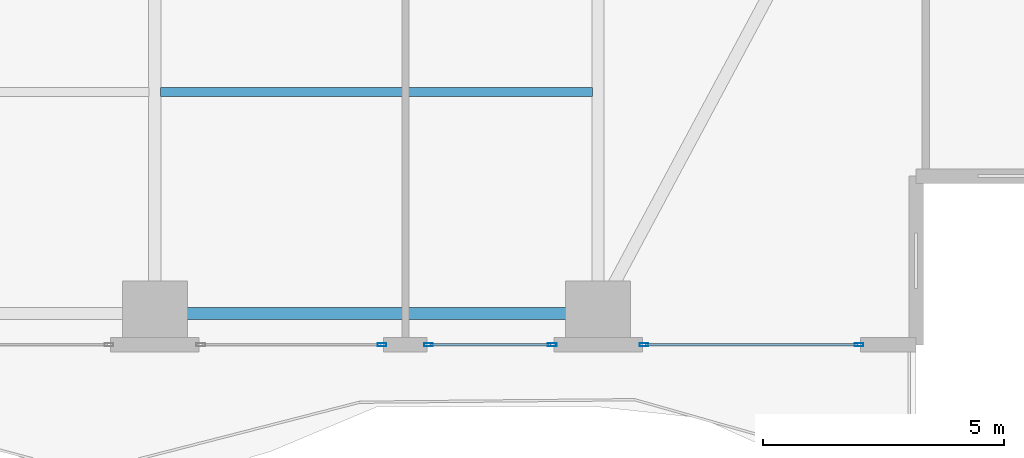
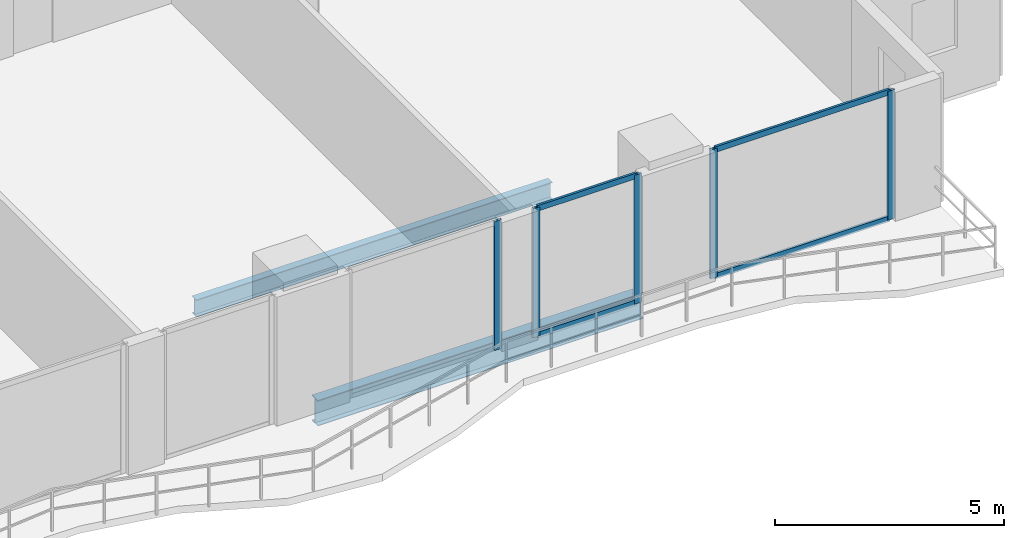
# One storey, part 9 of 28: 9 members, 2 beams, 3 elements without a shape of their own.
"""IFC4 building model written with IfcOpenShell, lengths in metres."""

from ifc_helpers import new_model, si_unit, direction, frame, origin, origin_2d, place, context, subcontext, project, spatial, hollow_rectangle, i_section, extrude, material, layer, layer_set, material_profile, profile_set, type_object, element, aggregate, save


model = new_model("IFC4")

# Units and contexts
model_context = context("Model", 3, precision=1e-05, world=origin(), true_north=direction((0.0, 1.0)))
body_context = subcontext(model_context, "Body", "Model", "MODEL_VIEW")
ifc_project = project(units=[si_unit("LENGTHUNIT", "METRE"), si_unit("AREAUNIT", "SQUARE_METRE"), si_unit("VOLUMEUNIT", "CUBIC_METRE"), si_unit("PLANEANGLEUNIT", "RADIAN"), si_unit("MASSUNIT", "GRAM", prefix="KILO")], contexts=[model_context])

# Site, building, storey
site_placement = place(None, origin())
site = spatial("IfcSite", under=ifc_project, at=site_placement, CompositionType="ELEMENT")
building_placement = place(site_placement, origin())
building = spatial("IfcBuilding", under=site, at=building_placement, Name="Zuhayl Quay Hotel", CompositionType="ELEMENT")
storey_placement = place(building_placement, frame((0.0, 0.0, 121.199951171875)))
storey = spatial("IfcBuildingStorey", under=building, at=storey_placement, Name="L30", CompositionType="ELEMENT", Elevation=121.199951171875)

# Beams
ifc_material_1 = material(Name="Steel ASTM A992 Grade 50", Category="steel")
ifc_material_profile_1 = material_profile(ifc_material_1, i_section(OverallWidth=0.25390625, OverallDepth=0.68310546875, WebThickness=0.012451171875, FlangeThickness=0.018798828125, at=origin_2d()), Name="W27X94")
ifc_profile_set_1 = profile_set([ifc_material_profile_1], Name="Steel ASTM A992 Grade 50")
beam_type_1 = type_object("IfcBeamType", Name="BM_B2_W27X94", PredefinedType="BEAM", material=ifc_profile_set_1)
beam_1_placement = place(storey_placement, frame((5.10009765625, -14.75, -0.5615234375), z_axis=(1.0, 0.0, 0.0), x_axis=(0.0, 1.0, 0.0)))
element("IfcBeam", 1, at=beam_1_placement, inside=storey, type_object=beam_type_1, Name="L30 Floor Beam RG_L30_03", PredefinedType="BEAM", context=body_context, shape_type="SweptSolid", body=[
    extrude(i_section(OverallWidth=0.25390625, OverallDepth=0.68310546875, WebThickness=0.012451171875, FlangeThickness=0.018798828125, at=origin_2d()), origin(), (0.0, 0.0, 1.0), 8.199951171875),
])
ifc_material_profile_2 = material_profile(ifc_material_1, i_section(OverallWidth=0.18994140625, OverallDepth=0.45703125, WebThickness=0.009033203125, FlangeThickness=0.014404296875, at=origin_2d()), Name="W18X50")
ifc_profile_set_2 = profile_set([ifc_material_profile_2], Name="Steel ASTM A992 Grade 50")
beam_type_2 = type_object("IfcBeamType", Name="BM_J2_W18X50", PredefinedType="JOIST", material=ifc_profile_set_2)
beam_2_placement = place(storey_placement, frame((4.718994140625, -10.14990234375, -0.448486328125), z_axis=(1.0, 0.0, 0.0), x_axis=(0.0, 1.0, 0.0)))
element("IfcBeam", 2, at=beam_2_placement, inside=storey, type_object=beam_type_2, Name="L30 Floor Beam FJ_L30_5_3", PredefinedType="JOIST", context=body_context, shape_type="SweptSolid", body=[
    extrude(i_section(OverallWidth=0.18994140625, OverallDepth=0.45703125, WebThickness=0.009033203125, FlangeThickness=0.014404296875, at=origin_2d()), origin(), (0.0, 0.0, 1.0), 8.9619140625),
])

# Curtain wall, members
ifc_material_2 = material(Name="Anodised Aluminium 6063-T6", Category="aluminium")
ifc_layer = layer(ifc_material_2, 0.179931640625, Name="Anodised Aluminium 6063-T6", Category="aluminium")
ifc_layer_set = layer_set([ifc_layer], Name="Anodised Aluminium 6063-T6")
curtain_wall_type = type_object("IfcCurtainWallType", Name="CW_SYS_Z2", PredefinedType="USERDEFINED", material=ifc_layer_set)
curtain_wall_1_placement = place(storey_placement, origin())
curtain_wall_1 = element("IfcCurtainWall", 3, at=curtain_wall_1_placement, inside=storey, type_object=curtain_wall_type, Name="L30 Curtain Wall ENV_L30_S_CW1", ObjectType="UNITISED CURTAIN WALL", PredefinedType="USERDEFINED")
ifc_material_3 = material(Name="Black-anodised aluminium 6063-T6", Category="aluminium")
ifc_material_profile_3 = material_profile(ifc_material_3, hollow_rectangle(XDim=0.06494140625, YDim=0.179931640625, WallThickness=0.00341796875, at=origin_2d()), Name="ALU180X65")
ifc_profile_set_3 = profile_set([ifc_material_profile_3], Name="Black-anodised aluminium 6063-T6")
member_type_1 = type_object("IfcMemberType", Name="MB_CW_MUL_180", PredefinedType="MULLION", material=ifc_profile_set_3)
member_1_placement = place(storey_placement, frame((19.217529296875, -15.39990234375, 0.0), z_axis=(0.0, 0.0, 1.0), x_axis=(0.0, -1.0, 0.0)))
member_1 = element("IfcMember", 4, at=member_1_placement, type_object=member_type_1, Name="CW-Z2 mullion 1", PredefinedType="MULLION", context=body_context, shape_type="SweptSolid", body=[
    extrude(hollow_rectangle(XDim=0.06494140625, YDim=0.179931640625, WallThickness=0.00341796875, at=origin_2d()), origin(), (0.0, 0.0, 1.0), 3.429931640625),
])
member_2_placement = place(storey_placement, frame((14.75244140625, -15.39990234375, 0.0), z_axis=(0.0, 0.0, 1.0), x_axis=(0.0, -1.0, 0.0)))
member_2 = element("IfcMember", 5, at=member_2_placement, type_object=member_type_1, Name="CW-Z2 mullion 2", PredefinedType="MULLION", context=body_context, shape_type="SweptSolid", body=[
    extrude(hollow_rectangle(XDim=0.06494140625, YDim=0.179931640625, WallThickness=0.00341796875, at=origin_2d()), origin(), (0.0, 0.0, 1.0), 3.429931640625),
])

curtain_wall_2_placement = place(storey_placement, origin())
curtain_wall_2 = element("IfcCurtainWall", 6, at=curtain_wall_2_placement, inside=storey, type_object=curtain_wall_type, Name="L30 Curtain Wall ENV_L30_S_CW2", ObjectType="UNITISED CURTAIN WALL", PredefinedType="USERDEFINED")
member_3_placement = place(storey_placement, frame((12.847412109375, -15.39990234375, 0.0), z_axis=(0.0, 0.0, 1.0), x_axis=(0.0, -1.0, 0.0)))
member_3 = element("IfcMember", 7, at=member_3_placement, type_object=member_type_1, Name="CW-Z2 mullion 1", PredefinedType="MULLION", context=body_context, shape_type="SweptSolid", body=[
    extrude(hollow_rectangle(XDim=0.06494140625, YDim=0.179931640625, WallThickness=0.00341796875, at=origin_2d()), origin(), (0.0, 0.0, 1.0), 3.429931640625),
])
member_4_placement = place(storey_placement, frame((10.282470703125, -15.39990234375, 0.0), z_axis=(0.0, 0.0, 1.0), x_axis=(0.0, -1.0, 0.0)))
member_4 = element("IfcMember", 8, at=member_4_placement, type_object=member_type_1, Name="CW-Z2 mullion 2", PredefinedType="MULLION", context=body_context, shape_type="SweptSolid", body=[
    extrude(hollow_rectangle(XDim=0.06494140625, YDim=0.179931640625, WallThickness=0.00341796875, at=origin_2d()), origin(), (0.0, 0.0, 1.0), 3.429931640625),
])

# Curtain wall, member
curtain_wall_3_placement = place(storey_placement, origin())
curtain_wall_3 = element("IfcCurtainWall", 9, at=curtain_wall_3_placement, inside=storey, type_object=curtain_wall_type, Name="L30 Curtain Wall ENV_L30_S_CW3", ObjectType="UNITISED CURTAIN WALL", PredefinedType="USERDEFINED")
member_5_placement = place(storey_placement, frame((9.3173828125, -15.39990234375, 0.0), z_axis=(0.0, 0.0, 1.0), x_axis=(0.0, -1.0, 0.0)))
member_5 = element("IfcMember", 10, at=member_5_placement, type_object=member_type_1, Name="CW-Z2 mullion 1", PredefinedType="MULLION", context=body_context, shape_type="SweptSolid", body=[
    extrude(hollow_rectangle(XDim=0.06494140625, YDim=0.179931640625, WallThickness=0.00341796875, at=origin_2d()), origin(), (0.0, 0.0, 1.0), 3.429931640625),
])
aggregate(curtain_wall_3, [member_5])

# Member
ifc_material_profile_4 = material_profile(ifc_material_3, hollow_rectangle(XDim=0.06005859375, YDim=0.14990234375, WallThickness=0.00341796875, at=origin_2d()), Name="ALU150X60")
ifc_profile_set_4 = profile_set([ifc_material_profile_4], Name="Black-anodised aluminium 6063-T6")
member_type_2 = type_object("IfcMemberType", Name="MB_CW_TRN_150", PredefinedType="USERDEFINED", material=ifc_profile_set_4)
member_6_placement = place(storey_placement, frame((19.18505859375, -15.39990234375, 0.030029296875), z_axis=(-1.0, 0.0, 0.0), x_axis=(0.0, -1.0, 0.0)))
member_6 = element("IfcMember", 11, at=member_6_placement, type_object=member_type_2, Name="CW-Z2 transom 1.1", ObjectType="TRANSOM", PredefinedType="USERDEFINED", context=body_context, shape_type="SweptSolid", body=[
    extrude(hollow_rectangle(XDim=0.06005859375, YDim=0.14990234375, WallThickness=0.00341796875, at=origin_2d()), origin(), (0.0, 0.0, 1.0), 4.400146484375),
])

member_7_placement = place(storey_placement, frame((19.18505859375, -15.39990234375, 3.400146484375), z_axis=(-1.0, 0.0, 0.0), x_axis=(0.0, -1.0, 0.0)))
member_7 = element("IfcMember", 12, at=member_7_placement, type_object=member_type_2, Name="CW-Z2 transom 1.2", ObjectType="TRANSOM", PredefinedType="USERDEFINED", context=body_context, shape_type="SweptSolid", body=[
    extrude(hollow_rectangle(XDim=0.06005859375, YDim=0.14990234375, WallThickness=0.00341796875, at=origin_2d()), origin(), (0.0, 0.0, 1.0), 4.400146484375),
])

aggregate(curtain_wall_1, [member_1, member_2, member_6, member_7])

member_8_placement = place(storey_placement, frame((12.81494140625, -15.39990234375, 0.030029296875), z_axis=(-1.0, 0.0, 0.0), x_axis=(0.0, -1.0, 0.0)))
member_8 = element("IfcMember", 13, at=member_8_placement, type_object=member_type_2, Name="CW-Z2 transom 1.1", ObjectType="TRANSOM", PredefinedType="USERDEFINED", context=body_context, shape_type="SweptSolid", body=[
    extrude(hollow_rectangle(XDim=0.06005859375, YDim=0.14990234375, WallThickness=0.00341796875, at=origin_2d()), origin(), (0.0, 0.0, 1.0), 2.5),
])

member_9_placement = place(storey_placement, frame((12.81494140625, -15.39990234375, 3.400146484375), z_axis=(-1.0, 0.0, 0.0), x_axis=(0.0, -1.0, 0.0)))
member_9 = element("IfcMember", 14, at=member_9_placement, type_object=member_type_2, Name="CW-Z2 transom 1.2", ObjectType="TRANSOM", PredefinedType="USERDEFINED", context=body_context, shape_type="SweptSolid", body=[
    extrude(hollow_rectangle(XDim=0.06005859375, YDim=0.14990234375, WallThickness=0.00341796875, at=origin_2d()), origin(), (0.0, 0.0, 1.0), 2.5),
])

aggregate(curtain_wall_2, [member_3, member_4, member_8, member_9])

save(model, "model.ifc")
